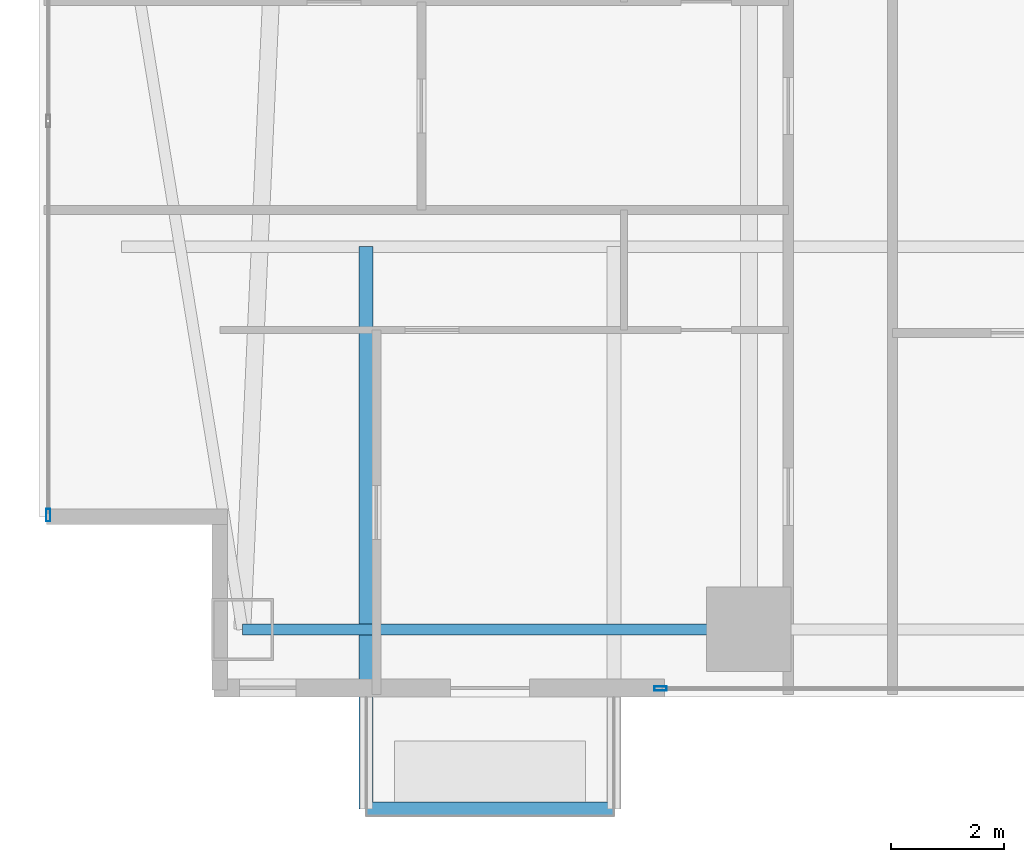
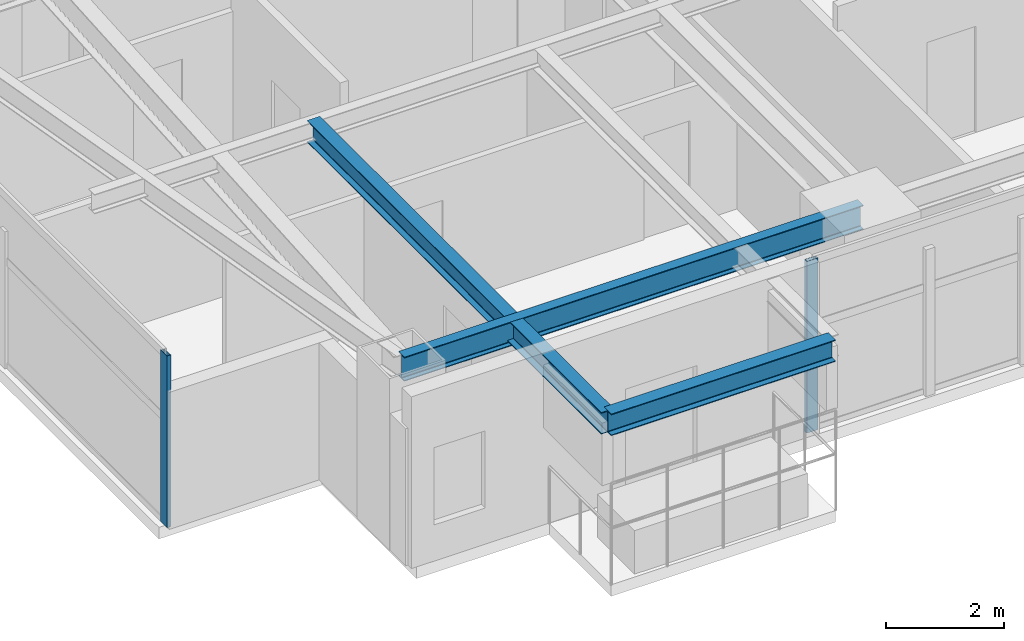
# One storey, part 2 of 29: 3 beams, 2 members, 2 elements without a shape of their own.
"""IFC4 building model written with IfcOpenShell, lengths in metres."""

from ifc_helpers import new_model, si_unit, direction, frame, origin, origin_2d, place, context, subcontext, project, spatial, hollow_rectangle, i_section, extrude, material, layer, layer_set, material_profile, profile_set, type_object, element, aggregate, save


model = new_model("IFC4")

# Units and contexts
model_context = context("Model", 3, precision=1e-05, world=origin(), true_north=direction((0.0, 1.0)))
body_context = subcontext(model_context, "Body", "Model", "MODEL_VIEW")
ifc_project = project(units=[si_unit("LENGTHUNIT", "METRE"), si_unit("AREAUNIT", "SQUARE_METRE"), si_unit("VOLUMEUNIT", "CUBIC_METRE"), si_unit("PLANEANGLEUNIT", "RADIAN"), si_unit("MASSUNIT", "GRAM", prefix="KILO")], contexts=[model_context])

# Site, building, storey
site_placement = place(None, origin())
site = spatial("IfcSite", under=ifc_project, at=site_placement, CompositionType="ELEMENT")
building_placement = place(site_placement, origin())
building = spatial("IfcBuilding", under=site, at=building_placement, Name="Calvorn Quay Hotel", CompositionType="ELEMENT")
storey_placement = place(building_placement, frame((0.0, 0.0, 81.199951171875)))
storey = spatial("IfcBuildingStorey", under=building, at=storey_placement, Name="L19", CompositionType="ELEMENT", Elevation=81.199951171875)

# Beams
ifc_material_1 = material(Name="Steel Q355B", Category="steel")
ifc_material_profile_1 = material_profile(ifc_material_1, i_section(OverallWidth=0.25, OverallDepth=0.449951171875, WebThickness=0.011962890625, FlangeThickness=0.01611328125, FilletRadius=0.01611328125, at=origin_2d()), Name="HN450x250x12x16")
ifc_profile_set_1 = profile_set([ifc_material_profile_1], Name="Steel Q355B")
beam_type_1 = type_object("IfcBeamType", Name="BM-CANT-BALC", PredefinedType="BEAM", material=ifc_profile_set_1)
beam_1_placement = place(storey_placement, frame((5.800048828125, 10.39990234375, 3.31494140625), z_axis=(0.0, -1.0, 0.0), x_axis=(1.0, 0.0, 0.0)))
element("IfcBeam", 1, at=beam_1_placement, inside=storey, type_object=beam_type_1, Name="Cantilever Balcony Beam BCB-L20-2A", PredefinedType="BEAM", context=body_context, shape_type="SweptSolid", body=[
    extrude(i_section(OverallWidth=0.25, OverallDepth=0.449951171875, WebThickness=0.011962890625, FlangeThickness=0.01611328125, FilletRadius=0.01611328125, at=origin_2d()), origin(), (0.0, 0.0, 1.0), 9.989990234375),
])
beam_2_placement = place(storey_placement, frame((5.800048828125, 0.409912109375, 3.31494140625), z_axis=(1.0, 0.0, 0.0), x_axis=(0.0, 1.0, 0.0)))
element("IfcBeam", 2, at=beam_2_placement, inside=storey, type_object=beam_type_1, Name="Beam BCBO-L20-2", PredefinedType="BEAM", context=body_context, shape_type="SweptSolid", body=[
    extrude(i_section(OverallWidth=0.25, OverallDepth=0.449951171875, WebThickness=0.011962890625, FlangeThickness=0.01611328125, FilletRadius=0.01611328125, at=origin_2d()), origin(), (0.0, 0.0, 1.0), 4.39990234375),
])
ifc_material_2 = material(Name="Steel Q355B", Category="steel")
ifc_material_profile_2 = material_profile(ifc_material_2, i_section(OverallWidth=0.199951171875, OverallDepth=0.5, WebThickness=0.010009765625, FlangeThickness=0.01611328125, FilletRadius=0.01611328125, at=origin_2d()), Name="HN500x200x10x16")
ifc_profile_set_2 = profile_set([ifc_material_profile_2], Name="Steel Q355B")
beam_type_2 = type_object("IfcBeamType", Name="BM-SPANDREL-Z1", PredefinedType="SPANDREL", material=ifc_profile_set_2)
beam_3_placement = place(storey_placement, frame((3.60009765625, 3.60009765625, 3.2900390625), z_axis=(1.0, 0.0, 0.0), x_axis=(0.0, 1.0, 0.0)))
element("IfcBeam", 3, at=beam_3_placement, inside=storey, type_object=beam_type_2, Name="Beam BSP-L19-S1", PredefinedType="SPANDREL", context=body_context, shape_type="SweptSolid", body=[
    extrude(i_section(OverallWidth=0.199951171875, OverallDepth=0.5, WebThickness=0.010009765625, FlangeThickness=0.01611328125, FilletRadius=0.01611328125, at=origin_2d()), origin(), (0.0, 0.0, 1.0), 9.0),
])

# Curtain wall, member
ifc_material_3 = material(Name="Pale Anodised Aluminium and Low-E Glass", Category="aluminium")
ifc_layer = layer(ifc_material_3, 0.219970703125)
ifc_layer_set = layer_set([ifc_layer], Name="CW-SYS-Z1")
curtain_wall_type = type_object("IfcCurtainWallType", Name="CW-SYS-Z1", PredefinedType="NOTDEFINED", material=ifc_layer_set)
curtain_wall_1_placement = place(storey_placement, origin())
curtain_wall_1 = element("IfcCurtainWall", 4, at=curtain_wall_1_placement, inside=storey, type_object=curtain_wall_type, Name="Tower West Curtain Wall (L19)", PredefinedType="NOTDEFINED")
ifc_material_4 = material(Name="Pale Anodised Aluminium 6063-T6", Category="aluminium")
ifc_material_profile_3 = material_profile(ifc_material_4, hollow_rectangle(XDim=0.074951171875, YDim=0.219970703125, WallThickness=0.00439453125, at=origin_2d()), Name="ALU-M220x75x4.5")
ifc_profile_set_3 = profile_set([ifc_material_profile_3], Name="Pale Anodised Aluminium 6063-T6")
member_type = type_object("IfcMemberType", Name="CW-SYS-Z1-MUL", PredefinedType="MULLION", material=ifc_profile_set_3)
member_1_placement = place(storey_placement, frame((0.14990234375, 5.6298828125, 0.0), z_axis=(0.0, 0.0, 1.0), x_axis=(-1.0, 0.0, 0.0)))
member_1 = element("IfcMember", 5, at=member_1_placement, type_object=member_type, Name="CW-L19-W mullion 1", PredefinedType="MULLION", context=body_context, shape_type="SweptSolid", body=[
    extrude(hollow_rectangle(XDim=0.074951171875, YDim=0.219970703125, WallThickness=0.00439453125, at=origin_2d()), origin(), (0.0, 0.0, 1.0), 3.56005859375),
])
aggregate(curtain_wall_1, [member_1])

curtain_wall_2_placement = place(storey_placement, origin())
curtain_wall_2 = element("IfcCurtainWall", 6, at=curtain_wall_2_placement, inside=storey, type_object=curtain_wall_type, Name="Tower South Waterfront Curtain Wall (L19)", PredefinedType="NOTDEFINED")
member_2_placement = place(storey_placement, frame((11.030029296875, 2.550048828125, 0.0), z_axis=(0.0, 0.0, 1.0), x_axis=(0.0, 1.0, 0.0)))
member_2 = element("IfcMember", 7, at=member_2_placement, type_object=member_type, Name="CW-L19-S mullion 1", PredefinedType="MULLION", context=body_context, shape_type="SweptSolid", body=[
    extrude(hollow_rectangle(XDim=0.074951171875, YDim=0.219970703125, WallThickness=0.00439453125, at=origin_2d()), origin(), (0.0, 0.0, 1.0), 3.56005859375),
])
aggregate(curtain_wall_2, [member_2])

save(model, "model.ifc")
